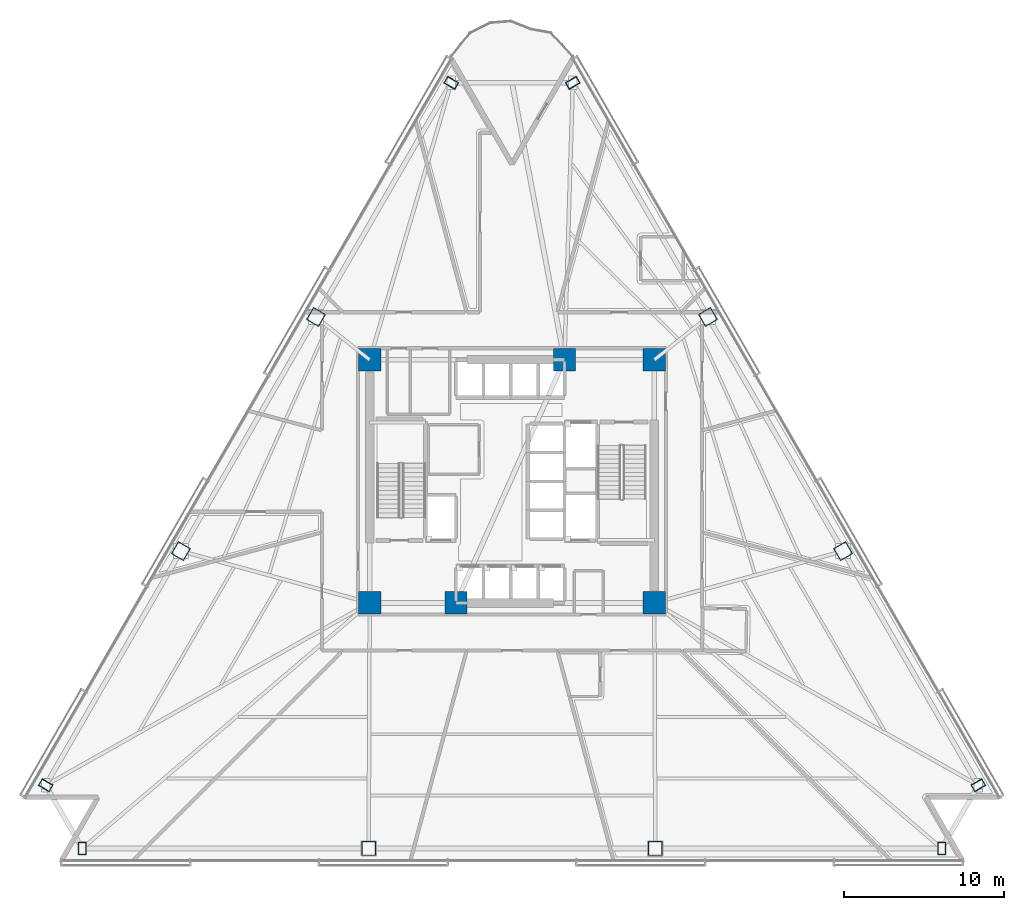
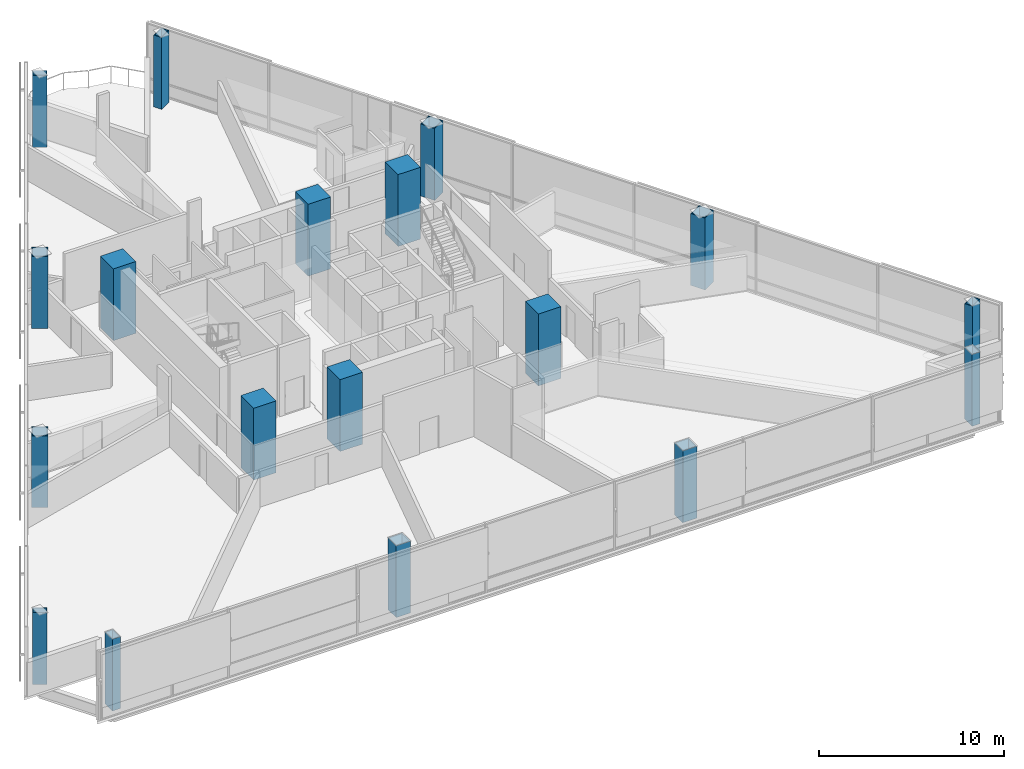
# One storey, part 1 of 17: 18 columns.
"""IFC4 building model written with IfcOpenShell, lengths in metres."""

from ifc_helpers import new_model, si_unit, direction, frame, origin, origin_2d, place, context, subcontext, project, spatial, rectangle, hollow_rectangle, extrude, material, material_profile, profile_set, type_object, element, save


model = new_model("IFC4")

# Units and contexts
model_context = context("Model", 3, precision=1e-05, world=origin(), true_north=direction((0.0, 1.0)))
body_context = subcontext(model_context, "Body", "Model", "MODEL_VIEW")
ifc_project = project(units=[si_unit("LENGTHUNIT", "METRE"), si_unit("AREAUNIT", "SQUARE_METRE"), si_unit("VOLUMEUNIT", "CUBIC_METRE"), si_unit("PLANEANGLEUNIT", "RADIAN"), si_unit("MASSUNIT", "GRAM", prefix="KILO")], contexts=[model_context])

# Site, building, storey
site_placement = place(None, origin())
site = spatial("IfcSite", under=ifc_project, at=site_placement, CompositionType="ELEMENT")
building_placement = place(site_placement, origin())
building = spatial("IfcBuilding", under=site, at=building_placement, Name="Tharavind Bronze Gate", CompositionType="ELEMENT")
storey_placement = place(building_placement, frame((0.0, 0.0, 52.25)))
storey = spatial("IfcBuildingStorey", under=building, at=storey_placement, Name="L12", CompositionType="ELEMENT", Elevation=52.25)

# Columns
ifc_material_1 = material(Name="Steel S460", Category="steel")
ifc_material_profile_1 = material_profile(ifc_material_1, hollow_rectangle(XDim=0.5, YDim=0.800048828125, WallThickness=0.0400390625, at=origin_2d()), Name="RHS800X500X40")
ifc_profile_set_1 = profile_set([ifc_material_profile_1], Name="Steel S460")
column_type_1 = type_object("IfcColumnType", Name="CORNER NOTCH COLUMN RHS800X500", PredefinedType="COLUMN", material=ifc_profile_set_1)
for number, where, z_axis, x_axis, name in (
    (1, (-3.800048828125, 24.918212890625, 0.0), (0.0, 0.0, 1.0), (0.500001511499, 0.866024531118, 0.0), "L12 perimeter column S1C1"),
    (2, (-29.15673828125, -19.0009765625, 0.0), (0.0, 0.0, 1.0), (0.500001511499, 0.866024531118, 0.0), "L12 perimeter column S1C4"),
    (3, (-26.876708984375, -22.949951171875, 0.0), (0.0, 0.0, 1.0), (1.0, 0.0, 0.0), "L12 perimeter column S2C1"),
    (4, (26.876708984375, -22.949951171875, 0.0), (0.0, 0.0, 1.0), (1.0, 0.0, 0.0), "L12 perimeter column S2C4"),
    (5, (29.15673828125, -19.0009765625, 0.0), (0.0, 0.0, 1.0), (-0.500001511499, 0.866024531118, 0.0), "L12 perimeter column S3C1"),
    (6, (3.800048828125, 24.918212890625, 0.0), (0.0, 0.0, 1.0), (-0.500001511499, 0.866024531118, 0.0), "L12 perimeter column S3C4"),
):
    element("IfcColumn", number, at=place(storey_placement, frame(where, z_axis=z_axis, x_axis=x_axis)), inside=storey, type_object=column_type_1, Name=name, PredefinedType="COLUMN", context=body_context, shape_type="SweptSolid", body=[
        extrude(hollow_rectangle(XDim=0.5, YDim=0.800048828125, WallThickness=0.0400390625, at=origin_2d()), origin(), (0.0, 0.0, 1.0), 4.75),
    ])
ifc_material_2 = material(Name="Concrete C70/85", Category="concrete")
ifc_material_profile_2 = material_profile(ifc_material_2, rectangle(XDim=1.39990234375, YDim=1.39990234375, at=origin_2d()), Name="RCCOL1400")
ifc_profile_set_2 = profile_set([ifc_material_profile_2], Name="Concrete C70/85")
column_type_2 = type_object("IfcColumnType", Name="MEGA CORE COLUMN 1400", PredefinedType="COLUMN", material=ifc_profile_set_2)
for number, where, z_axis, x_axis, name in (
    (7, (-8.89990234375, -7.60009765625, 0.0), (0.0, 0.0, 1.0), (1.0, 0.0, 0.0), "L12 core mega column MC1"),
    (8, (-3.5, -7.60009765625, 0.0), (0.0, 0.0, 1.0), (1.0, 0.0, 0.0), "L12 core mega column MC2"),
    (9, (8.89990234375, -7.60009765625, 0.0), (0.0, 0.0, 1.0), (1.0, 0.0, 0.0), "L12 core mega column MC3"),
    (10, (8.89990234375, 7.60009765625, 0.0), (0.0, 0.0, 1.0), (1.0, 0.0, 0.0), "L12 core mega column MC4"),
    (11, (3.280029296875, 7.60009765625, 0.0), (0.0, 0.0, 1.0), (1.0, 0.0, 0.0), "L12 core mega column MC5"),
    (12, (-8.89990234375, 7.60009765625, 0.0), (0.0, 0.0, 1.0), (1.0, 0.0, 0.0), "L12 core mega column MC6"),
):
    element("IfcColumn", number, at=place(storey_placement, frame(where, z_axis=z_axis, x_axis=x_axis)), inside=storey, type_object=column_type_2, Name=name, PredefinedType="COLUMN", context=body_context, shape_type="SweptSolid", body=[
        extrude(rectangle(XDim=1.39990234375, YDim=1.39990234375, at=origin_2d()), origin(), (0.0, 0.0, 1.0), 4.75),
    ])
ifc_material_profile_3 = material_profile(ifc_material_1, hollow_rectangle(XDim=0.89990234375, YDim=0.89990234375, WallThickness=0.050048828125, at=origin_2d()), Name="SHS900X50")
ifc_profile_set_3 = profile_set([ifc_material_profile_3], Name="Steel S460")
column_type_3 = type_object("IfcColumnType", Name="PERIMETER BOX COLUMN SHS900", PredefinedType="COLUMN", material=ifc_profile_set_3)
for number, where, z_axis, x_axis, name in (
    (13, (-12.252197265625, 10.278564453125, 0.0), (0.0, 0.0, 1.0), (0.500001511499, 0.866024531118, 0.0), "L12 perimeter column S1C2"),
    (14, (-20.70458984375, -4.361083984375, 0.0), (0.0, 0.0, 1.0), (0.500001511499, 0.866024531118, 0.0), "L12 perimeter column S1C3"),
    (15, (-8.958984375, -22.949951171875, 0.0), (0.0, 0.0, 1.0), (1.0, 0.0, 0.0), "L12 perimeter column S2C2"),
    (16, (8.958984375, -22.949951171875, 0.0), (0.0, 0.0, 1.0), (1.0, 0.0, 0.0), "L12 perimeter column S2C3"),
    (17, (20.70458984375, -4.361083984375, 0.0), (0.0, 0.0, 1.0), (-0.500001511499, 0.866024531118, 0.0), "L12 perimeter column S3C2"),
    (18, (12.252197265625, 10.278564453125, 0.0), (0.0, 0.0, 1.0), (-0.500001511499, 0.866024531118, 0.0), "L12 perimeter column S3C3"),
):
    element("IfcColumn", number, at=place(storey_placement, frame(where, z_axis=z_axis, x_axis=x_axis)), inside=storey, type_object=column_type_3, Name=name, PredefinedType="COLUMN", context=body_context, shape_type="SweptSolid", body=[
        extrude(hollow_rectangle(XDim=0.89990234375, YDim=0.89990234375, WallThickness=0.050048828125, at=origin_2d()), origin(), (0.0, 0.0, 1.0), 4.75),
    ])

save(model, "model.ifc")
